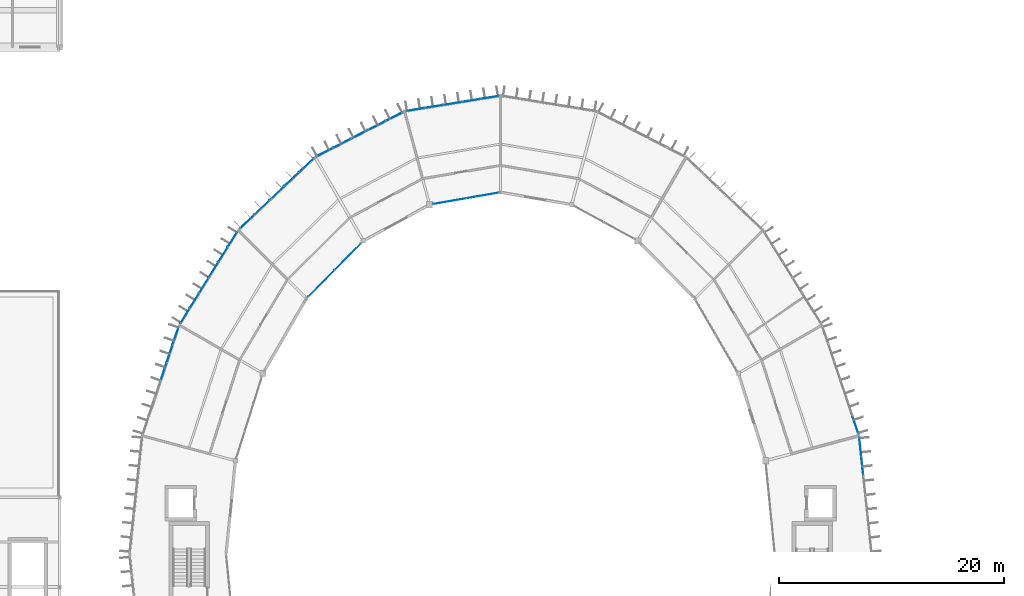
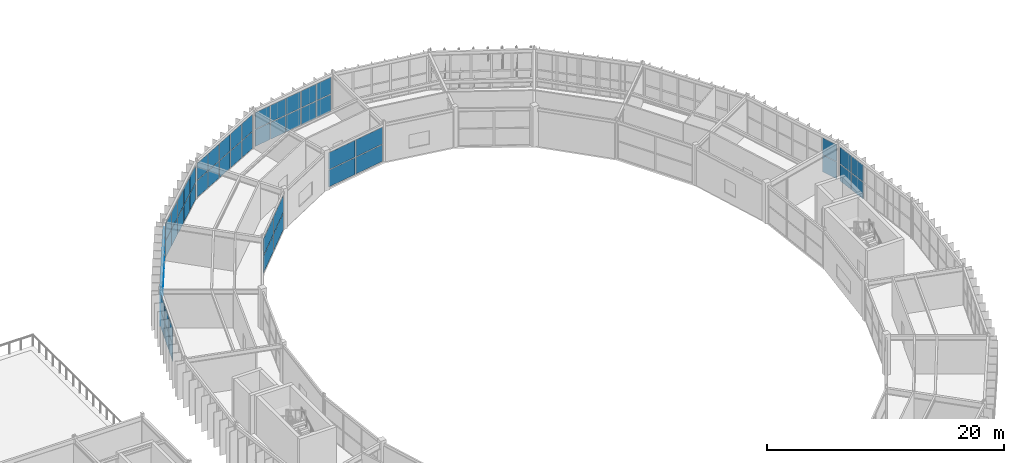
# One storey, part 93 of 130: 62 plates, 9 elements without a shape of their own.
"""IFC4 building model written with IfcOpenShell, lengths in metres."""

from ifc_helpers import new_model, si_unit, direction, frame, origin, origin_2d, place, context, subcontext, project, spatial, rectangle, extrude, material, layer, layer_set, type_object, element, aggregate, save


model = new_model("IFC4")

# Units and contexts
model_context = context("Model", 3, precision=1e-05, world=origin(), true_north=direction((0.0, 1.0)))
body_context = subcontext(model_context, "Body", "Model", "MODEL_VIEW")
ifc_project = project(units=[si_unit("LENGTHUNIT", "METRE"), si_unit("AREAUNIT", "SQUARE_METRE"), si_unit("VOLUMEUNIT", "CUBIC_METRE"), si_unit("PLANEANGLEUNIT", "RADIAN"), si_unit("MASSUNIT", "GRAM", prefix="KILO")], contexts=[model_context])

# Site, building, storey
site_placement = place(None, origin())
site = spatial("IfcSite", under=ifc_project, at=site_placement, CompositionType="ELEMENT")
building_placement = place(site_placement, origin())
building = spatial("IfcBuilding", under=site, at=building_placement, Name="Karori Crest Natural Sciences Institute", CompositionType="ELEMENT")
storey_placement = place(building_placement, frame((0.0, 0.0, 17.5)))
storey = spatial("IfcBuildingStorey", under=building, at=storey_placement, Name="L04", CompositionType="ELEMENT", Elevation=17.5)

# Curtain wall, plates
ifc_material_1 = material(Name="Anodised architectural aluminium 6063-T6", Category="aluminium")
curtain_wall_type_1 = type_object("IfcCurtainWallType", Name="CWT-01", PredefinedType="NOTDEFINED", material=ifc_material_1)
curtain_wall_1_placement = place(storey_placement, origin())
curtain_wall_1 = element("IfcCurtainWall", 1, at=curtain_wall_1_placement, inside=storey, type_object=curtain_wall_type_1, Name="Curtain wall CW-0136", PredefinedType="NOTDEFINED")
ifc_material_2 = material(Name="Double low-E laminated glass", Category="glass")
ifc_layer_1 = layer(ifc_material_2, 0.02392578125, Name="Double low-E laminated glass")
ifc_layer_set_1 = layer_set([ifc_layer_1], Name="Double low-E laminated glass")
plate_type_1 = type_object("IfcPlateType", Name="CWP-01", PredefinedType="CURTAIN_PANEL", material=ifc_layer_set_1)
plate_1_placement = place(storey_placement, frame((98.382080078125, 59.459716796875, 0.06494140625), z_axis=(0.0, 0.0, 1.0), x_axis=(0.105884496939, -0.994378435661, 0.0)))
plate_1 = element("IfcPlate", 2, at=plate_1_placement, type_object=plate_type_1, Name="CW-0136 panel 1.1", PredefinedType="CURTAIN_PANEL", context=body_context, shape_type="SweptSolid", body=[
    extrude(rectangle(XDim=1.630126953125, YDim=0.02392578125, at=origin_2d()), origin(), (0.0, 0.0, 1.0), 1.715087890625),
])
plate_2_placement = place(storey_placement, frame((98.382080078125, 59.459716796875, 1.8447265625), z_axis=(0.0, 0.0, 1.0), x_axis=(0.105884496939, -0.994378435661, 0.0)))
plate_2 = element("IfcPlate", 3, at=plate_2_placement, type_object=plate_type_1, Name="CW-0136 panel 1.2", PredefinedType="CURTAIN_PANEL", context=body_context, shape_type="SweptSolid", body=[
    extrude(rectangle(XDim=1.630126953125, YDim=0.02392578125, at=origin_2d()), origin(), (0.0, 0.0, 1.0), 1.715087890625),
])
plate_3_placement = place(storey_placement, frame((98.563232421875, 57.758056640625, 0.06494140625), z_axis=(0.0, 0.0, 1.0), x_axis=(0.105884496939, -0.994378435661, 0.0)))
plate_3 = element("IfcPlate", 4, at=plate_3_placement, type_object=plate_type_1, Name="CW-0136 panel 2.1", PredefinedType="CURTAIN_PANEL", context=body_context, shape_type="SweptSolid", body=[
    extrude(rectangle(XDim=1.66259765625, YDim=0.02392578125, at=origin_2d()), origin(), (0.0, 0.0, 1.0), 1.715087890625),
])
plate_4_placement = place(storey_placement, frame((98.563232421875, 57.758056640625, 1.8447265625), z_axis=(0.0, 0.0, 1.0), x_axis=(0.105884496939, -0.994378435661, 0.0)))
plate_4 = element("IfcPlate", 5, at=plate_4_placement, type_object=plate_type_1, Name="CW-0136 panel 2.2", PredefinedType="CURTAIN_PANEL", context=body_context, shape_type="SweptSolid", body=[
    extrude(rectangle(XDim=1.66259765625, YDim=0.02392578125, at=origin_2d()), origin(), (0.0, 0.0, 1.0), 1.715087890625),
])
aggregate(curtain_wall_1, [plate_1, plate_2, plate_3, plate_4])

curtain_wall_type_2 = type_object("IfcCurtainWallType", Name="CWT-07", PredefinedType="NOTDEFINED", material=ifc_material_1)
curtain_wall_2_placement = place(storey_placement, origin())
curtain_wall_2 = element("IfcCurtainWall", 6, at=curtain_wall_2_placement, inside=storey, type_object=curtain_wall_type_2, Name="Curtain wall CW-0145", PredefinedType="NOTDEFINED")
plate_5_placement = place(storey_placement, frame((58.8291015625, 89.4677734375, 0.06494140625), z_axis=(0.0, 0.0, 1.0), x_axis=(0.987011397252, 0.160650246484, 0.0)))
plate_5 = element("IfcPlate", 7, at=plate_5_placement, type_object=plate_type_1, Name="CW-0145 panel 1.1", PredefinedType="CURTAIN_PANEL", context=body_context, shape_type="SweptSolid", body=[
    extrude(rectangle(XDim=1.582275390625, YDim=0.02392578125, at=origin_2d()), origin(), (0.0, 0.0, 1.0), 1.715087890625),
])
plate_6_placement = place(storey_placement, frame((58.8291015625, 89.4677734375, 1.8447265625), z_axis=(0.0, 0.0, 1.0), x_axis=(0.987011397252, 0.160650246484, 0.0)))
plate_6 = element("IfcPlate", 8, at=plate_6_placement, type_object=plate_type_1, Name="CW-0145 panel 1.2", PredefinedType="CURTAIN_PANEL", context=body_context, shape_type="SweptSolid", body=[
    extrude(rectangle(XDim=1.582275390625, YDim=0.02392578125, at=origin_2d()), origin(), (0.0, 0.0, 1.0), 1.715087890625),
])
plate_7_placement = place(storey_placement, frame((60.47119140625, 89.735107421875, 0.06494140625), z_axis=(0.0, 0.0, 1.0), x_axis=(0.987011397252, 0.160650246484, 0.0)))
plate_7 = element("IfcPlate", 9, at=plate_7_placement, type_object=plate_type_1, Name="CW-0145 panel 2.1", PredefinedType="CURTAIN_PANEL", context=body_context, shape_type="SweptSolid", body=[
    extrude(rectangle(XDim=1.61474609375, YDim=0.02392578125, at=origin_2d()), origin(), (0.0, 0.0, 1.0), 1.715087890625),
])
plate_8_placement = place(storey_placement, frame((60.47119140625, 89.735107421875, 1.8447265625), z_axis=(0.0, 0.0, 1.0), x_axis=(0.987011397252, 0.160650246484, 0.0)))
plate_8 = element("IfcPlate", 10, at=plate_8_placement, type_object=plate_type_1, Name="CW-0145 panel 2.2", PredefinedType="CURTAIN_PANEL", context=body_context, shape_type="SweptSolid", body=[
    extrude(rectangle(XDim=1.61474609375, YDim=0.02392578125, at=origin_2d()), origin(), (0.0, 0.0, 1.0), 1.715087890625),
])
plate_9_placement = place(storey_placement, frame((62.129150390625, 90.0048828125, 0.06494140625), z_axis=(0.0, 0.0, 1.0), x_axis=(0.987011397252, 0.160650246484, 0.0)))
plate_9 = element("IfcPlate", 11, at=plate_9_placement, type_object=plate_type_1, Name="CW-0145 panel 3.1", PredefinedType="CURTAIN_PANEL", context=body_context, shape_type="SweptSolid", body=[
    extrude(rectangle(XDim=1.61474609375, YDim=0.02392578125, at=origin_2d()), origin(), (0.0, 0.0, 1.0), 1.715087890625),
])
plate_10_placement = place(storey_placement, frame((62.129150390625, 90.0048828125, 1.8447265625), z_axis=(0.0, 0.0, 1.0), x_axis=(0.987011397252, 0.160650246484, 0.0)))
plate_10 = element("IfcPlate", 12, at=plate_10_placement, type_object=plate_type_1, Name="CW-0145 panel 3.2", PredefinedType="CURTAIN_PANEL", context=body_context, shape_type="SweptSolid", body=[
    extrude(rectangle(XDim=1.61474609375, YDim=0.02392578125, at=origin_2d()), origin(), (0.0, 0.0, 1.0), 1.715087890625),
])
plate_11_placement = place(storey_placement, frame((63.787109375, 90.274658203125, 0.06494140625), z_axis=(0.0, 0.0, 1.0), x_axis=(0.987011397252, 0.160650246484, 0.0)))
plate_11 = element("IfcPlate", 13, at=plate_11_placement, type_object=plate_type_1, Name="CW-0145 panel 4.1", PredefinedType="CURTAIN_PANEL", context=body_context, shape_type="SweptSolid", body=[
    extrude(rectangle(XDim=1.61474609375, YDim=0.02392578125, at=origin_2d()), origin(), (0.0, 0.0, 1.0), 1.715087890625),
])
plate_12_placement = place(storey_placement, frame((63.787109375, 90.274658203125, 1.8447265625), z_axis=(0.0, 0.0, 1.0), x_axis=(0.987011397252, 0.160650246484, 0.0)))
plate_12 = element("IfcPlate", 14, at=plate_12_placement, type_object=plate_type_1, Name="CW-0145 panel 4.2", PredefinedType="CURTAIN_PANEL", context=body_context, shape_type="SweptSolid", body=[
    extrude(rectangle(XDim=1.61474609375, YDim=0.02392578125, at=origin_2d()), origin(), (0.0, 0.0, 1.0), 1.715087890625),
])
plate_13_placement = place(storey_placement, frame((65.428955078125, 90.5419921875, 0.06494140625), z_axis=(0.0, 0.0, 1.0), x_axis=(0.987011397252, 0.160650246484, 0.0)))
plate_13 = element("IfcPlate", 15, at=plate_13_placement, type_object=plate_type_1, Name="CW-0145 panel 5.1", PredefinedType="CURTAIN_PANEL", context=body_context, shape_type="SweptSolid", body=[
    extrude(rectangle(XDim=1.582275390625, YDim=0.02392578125, at=origin_2d()), origin(), (0.0, 0.0, 1.0), 1.715087890625),
])
plate_14_placement = place(storey_placement, frame((65.428955078125, 90.5419921875, 1.8447265625), z_axis=(0.0, 0.0, 1.0), x_axis=(0.987011397252, 0.160650246484, 0.0)))
plate_14 = element("IfcPlate", 16, at=plate_14_placement, type_object=plate_type_1, Name="CW-0145 panel 5.2", PredefinedType="CURTAIN_PANEL", context=body_context, shape_type="SweptSolid", body=[
    extrude(rectangle(XDim=1.582275390625, YDim=0.02392578125, at=origin_2d()), origin(), (0.0, 0.0, 1.0), 1.715087890625),
])
aggregate(curtain_wall_2, [plate_5, plate_6, plate_7, plate_8, plate_9, plate_10, plate_11, plate_12, plate_13, plate_14])

curtain_wall_type_3 = type_object("IfcCurtainWallType", Name="CWT-12", PredefinedType="NOTDEFINED", material=ifc_material_1)
curtain_wall_3_placement = place(storey_placement, origin())
curtain_wall_3 = element("IfcCurtainWall", 17, at=curtain_wall_3_placement, inside=storey, type_object=curtain_wall_type_3, Name="Curtain wall CW-0146", PredefinedType="NOTDEFINED")
plate_15_placement = place(storey_placement, frame((64.798095703125, 81.821533203125, 0.06005859375), z_axis=(0.0, 0.0, 1.0), x_axis=(-0.985240827231, -0.171173924291, 0.0)))
plate_15 = element("IfcPlate", 18, at=plate_15_placement, type_object=plate_type_1, Name="CW-0146 panel 1.1", PredefinedType="CURTAIN_PANEL", context=body_context, shape_type="SweptSolid", body=[
    extrude(rectangle(XDim=2.91796875, YDim=0.02392578125, at=origin_2d()), origin(), (0.0, 0.0, 1.0), 1.735107421875),
])
plate_16_placement = place(storey_placement, frame((64.798095703125, 81.821533203125, 1.85498046875), z_axis=(0.0, 0.0, 1.0), x_axis=(-0.985240827231, -0.171173924291, 0.0)))
plate_16 = element("IfcPlate", 19, at=plate_16_placement, type_object=plate_type_1, Name="CW-0146 panel 1.2", PredefinedType="CURTAIN_PANEL", context=body_context, shape_type="SweptSolid", body=[
    extrude(rectangle(XDim=2.91796875, YDim=0.02392578125, at=origin_2d()), origin(), (0.0, 0.0, 1.0), 1.735107421875),
])
plate_17_placement = place(storey_placement, frame((61.859130859375, 81.31103515625, 0.06005859375), z_axis=(0.0, 0.0, 1.0), x_axis=(-0.985240827231, -0.171173924291, 0.0)))
plate_17 = element("IfcPlate", 20, at=plate_17_placement, type_object=plate_type_1, Name="CW-0146 panel 2.1", PredefinedType="CURTAIN_PANEL", context=body_context, shape_type="SweptSolid", body=[
    extrude(rectangle(XDim=2.91796875, YDim=0.02392578125, at=origin_2d()), origin(), (0.0, 0.0, 1.0), 1.735107421875),
])
plate_18_placement = place(storey_placement, frame((61.859130859375, 81.31103515625, 1.85498046875), z_axis=(0.0, 0.0, 1.0), x_axis=(-0.985240827231, -0.171173924291, 0.0)))
plate_18 = element("IfcPlate", 21, at=plate_18_placement, type_object=plate_type_1, Name="CW-0146 panel 2.2", PredefinedType="CURTAIN_PANEL", context=body_context, shape_type="SweptSolid", body=[
    extrude(rectangle(XDim=2.91796875, YDim=0.02392578125, at=origin_2d()), origin(), (0.0, 0.0, 1.0), 1.735107421875),
])
aggregate(curtain_wall_3, [plate_15, plate_16, plate_17, plate_18])

curtain_wall_type_4 = type_object("IfcCurtainWallType", Name="CWT-14", PredefinedType="NOTDEFINED", material=ifc_material_1)
curtain_wall_4_placement = place(storey_placement, origin())
curtain_wall_4 = element("IfcCurtainWall", 22, at=curtain_wall_4_placement, inside=storey, type_object=curtain_wall_type_4, Name="Curtain wall CW-0149", PredefinedType="NOTDEFINED")
plate_19_placement = place(storey_placement, frame((52.803466796875, 76.371826171875, 0.06005859375), z_axis=(0.0, 0.0, 1.0), x_axis=(-0.702660818381, -0.711524963942, 0.0)))
plate_19 = element("IfcPlate", 23, at=plate_19_placement, type_object=plate_type_1, Name="CW-0149 panel 1.1", PredefinedType="CURTAIN_PANEL", context=body_context, shape_type="SweptSolid", body=[
    extrude(rectangle(XDim=3.286865234375, YDim=0.02392578125, at=origin_2d()), origin(), (0.0, 0.0, 1.0), 1.735107421875),
])
plate_20_placement = place(storey_placement, frame((52.803466796875, 76.371826171875, 1.85498046875), z_axis=(0.0, 0.0, 1.0), x_axis=(-0.702660818381, -0.711524963942, 0.0)))
plate_20 = element("IfcPlate", 24, at=plate_20_placement, type_object=plate_type_1, Name="CW-0149 panel 1.2", PredefinedType="CURTAIN_PANEL", context=body_context, shape_type="SweptSolid", body=[
    extrude(rectangle(XDim=3.286865234375, YDim=0.02392578125, at=origin_2d()), origin(), (0.0, 0.0, 1.0), 1.735107421875),
])
plate_21_placement = place(storey_placement, frame((50.4482421875, 73.98681640625, 0.06005859375), z_axis=(0.0, 0.0, 1.0), x_axis=(-0.702660818381, -0.711524963942, 0.0)))
plate_21 = element("IfcPlate", 25, at=plate_21_placement, type_object=plate_type_1, Name="CW-0149 panel 2.1", PredefinedType="CURTAIN_PANEL", context=body_context, shape_type="SweptSolid", body=[
    extrude(rectangle(XDim=3.286865234375, YDim=0.02392578125, at=origin_2d()), origin(), (0.0, 0.0, 1.0), 1.735107421875),
])
plate_22_placement = place(storey_placement, frame((50.4482421875, 73.98681640625, 1.85498046875), z_axis=(0.0, 0.0, 1.0), x_axis=(-0.702660818381, -0.711524963942, 0.0)))
plate_22 = element("IfcPlate", 26, at=plate_22_placement, type_object=plate_type_1, Name="CW-0149 panel 2.2", PredefinedType="CURTAIN_PANEL", context=body_context, shape_type="SweptSolid", body=[
    extrude(rectangle(XDim=3.286865234375, YDim=0.02392578125, at=origin_2d()), origin(), (0.0, 0.0, 1.0), 1.735107421875),
])
aggregate(curtain_wall_4, [plate_19, plate_20, plate_21, plate_22])

curtain_wall_type_5 = type_object("IfcCurtainWallType", Name="CWT-10", PredefinedType="NOTDEFINED", material=ifc_material_1)
curtain_wall_5_placement = place(storey_placement, origin())
curtain_wall_5 = element("IfcCurtainWall", 27, at=curtain_wall_5_placement, inside=storey, type_object=curtain_wall_type_5, Name="Curtain wall CW-0150", PredefinedType="NOTDEFINED")
plate_23_placement = place(storey_placement, frame((38.33154296875, 71.1220703125, 0.06005859375), z_axis=(0.0, 0.0, 1.0), x_axis=(0.527323896352, 0.849664350398, 0.0)))
plate_23 = element("IfcPlate", 28, at=plate_23_placement, type_object=plate_type_1, Name="CW-0150 panel 1.1", PredefinedType="CURTAIN_PANEL", context=body_context, shape_type="SweptSolid", body=[
    extrude(rectangle(XDim=1.51025390625, YDim=0.02392578125, at=origin_2d()), origin(), (0.0, 0.0, 1.0), 1.722412109375),
])
plate_24_placement = place(storey_placement, frame((38.33154296875, 71.1220703125, 1.8427734375), z_axis=(0.0, 0.0, 1.0), x_axis=(0.527323896352, 0.849664350398, 0.0)))
plate_24 = element("IfcPlate", 29, at=plate_24_placement, type_object=plate_type_1, Name="CW-0150 panel 1.2", PredefinedType="CURTAIN_PANEL", context=body_context, shape_type="SweptSolid", body=[
    extrude(rectangle(XDim=1.51025390625, YDim=0.02392578125, at=origin_2d()), origin(), (0.0, 0.0, 1.0), 1.722412109375),
])
plate_25_placement = place(storey_placement, frame((39.170654296875, 72.474365234375, 0.06005859375), z_axis=(0.0, 0.0, 1.0), x_axis=(0.527323896352, 0.849664350398, 0.0)))
plate_25 = element("IfcPlate", 30, at=plate_25_placement, type_object=plate_type_1, Name="CW-0150 panel 2.1", PredefinedType="CURTAIN_PANEL", context=body_context, shape_type="SweptSolid", body=[
    extrude(rectangle(XDim=1.542724609375, YDim=0.02392578125, at=origin_2d()), origin(), (0.0, 0.0, 1.0), 1.722412109375),
])
plate_26_placement = place(storey_placement, frame((39.170654296875, 72.474365234375, 1.8427734375), z_axis=(0.0, 0.0, 1.0), x_axis=(0.527323896352, 0.849664350398, 0.0)))
plate_26 = element("IfcPlate", 31, at=plate_26_placement, type_object=plate_type_1, Name="CW-0150 panel 2.2", PredefinedType="CURTAIN_PANEL", context=body_context, shape_type="SweptSolid", body=[
    extrude(rectangle(XDim=1.542724609375, YDim=0.02392578125, at=origin_2d()), origin(), (0.0, 0.0, 1.0), 1.722412109375),
])
plate_27_placement = place(storey_placement, frame((40.0185546875, 73.840576171875, 0.06005859375), z_axis=(0.0, 0.0, 1.0), x_axis=(0.527323896352, 0.849664350398, 0.0)))
plate_27 = element("IfcPlate", 32, at=plate_27_placement, type_object=plate_type_1, Name="CW-0150 panel 3.1", PredefinedType="CURTAIN_PANEL", context=body_context, shape_type="SweptSolid", body=[
    extrude(rectangle(XDim=1.542724609375, YDim=0.02392578125, at=origin_2d()), origin(), (0.0, 0.0, 1.0), 1.722412109375),
])
plate_28_placement = place(storey_placement, frame((40.0185546875, 73.840576171875, 1.8427734375), z_axis=(0.0, 0.0, 1.0), x_axis=(0.527323896352, 0.849664350398, 0.0)))
plate_28 = element("IfcPlate", 33, at=plate_28_placement, type_object=plate_type_1, Name="CW-0150 panel 3.2", PredefinedType="CURTAIN_PANEL", context=body_context, shape_type="SweptSolid", body=[
    extrude(rectangle(XDim=1.542724609375, YDim=0.02392578125, at=origin_2d()), origin(), (0.0, 0.0, 1.0), 1.722412109375),
])
plate_29_placement = place(storey_placement, frame((40.866455078125, 75.20654296875, 0.06005859375), z_axis=(0.0, 0.0, 1.0), x_axis=(0.527323896352, 0.849664350398, 0.0)))
plate_29 = element("IfcPlate", 34, at=plate_29_placement, type_object=plate_type_1, Name="CW-0150 panel 4.1", PredefinedType="CURTAIN_PANEL", context=body_context, shape_type="SweptSolid", body=[
    extrude(rectangle(XDim=1.542724609375, YDim=0.02392578125, at=origin_2d()), origin(), (0.0, 0.0, 1.0), 1.722412109375),
])
plate_30_placement = place(storey_placement, frame((40.866455078125, 75.20654296875, 1.8427734375), z_axis=(0.0, 0.0, 1.0), x_axis=(0.527323896352, 0.849664350398, 0.0)))
plate_30 = element("IfcPlate", 35, at=plate_30_placement, type_object=plate_type_1, Name="CW-0150 panel 4.2", PredefinedType="CURTAIN_PANEL", context=body_context, shape_type="SweptSolid", body=[
    extrude(rectangle(XDim=1.542724609375, YDim=0.02392578125, at=origin_2d()), origin(), (0.0, 0.0, 1.0), 1.722412109375),
])
plate_31_placement = place(storey_placement, frame((41.714111328125, 76.572509765625, 0.06005859375), z_axis=(0.0, 0.0, 1.0), x_axis=(0.527323896352, 0.849664350398, 0.0)))
plate_31 = element("IfcPlate", 36, at=plate_31_placement, type_object=plate_type_1, Name="CW-0150 panel 5.1", PredefinedType="CURTAIN_PANEL", context=body_context, shape_type="SweptSolid", body=[
    extrude(rectangle(XDim=1.542724609375, YDim=0.02392578125, at=origin_2d()), origin(), (0.0, 0.0, 1.0), 1.722412109375),
])
plate_32_placement = place(storey_placement, frame((41.714111328125, 76.572509765625, 1.8427734375), z_axis=(0.0, 0.0, 1.0), x_axis=(0.527323896352, 0.849664350398, 0.0)))
plate_32 = element("IfcPlate", 37, at=plate_32_placement, type_object=plate_type_1, Name="CW-0150 panel 5.2", PredefinedType="CURTAIN_PANEL", context=body_context, shape_type="SweptSolid", body=[
    extrude(rectangle(XDim=1.542724609375, YDim=0.02392578125, at=origin_2d()), origin(), (0.0, 0.0, 1.0), 1.722412109375),
])
plate_33_placement = place(storey_placement, frame((42.553466796875, 77.9248046875, 0.06005859375), z_axis=(0.0, 0.0, 1.0), x_axis=(0.527323896352, 0.849664350398, 0.0)))
plate_33 = element("IfcPlate", 38, at=plate_33_placement, type_object=plate_type_1, Name="CW-0150 panel 6.1", PredefinedType="CURTAIN_PANEL", context=body_context, shape_type="SweptSolid", body=[
    extrude(rectangle(XDim=1.51025390625, YDim=0.02392578125, at=origin_2d()), origin(), (0.0, 0.0, 1.0), 1.722412109375),
])
plate_34_placement = place(storey_placement, frame((42.553466796875, 77.9248046875, 1.8427734375), z_axis=(0.0, 0.0, 1.0), x_axis=(0.527323896352, 0.849664350398, 0.0)))
plate_34 = element("IfcPlate", 39, at=plate_34_placement, type_object=plate_type_1, Name="CW-0150 panel 6.2", PredefinedType="CURTAIN_PANEL", context=body_context, shape_type="SweptSolid", body=[
    extrude(rectangle(XDim=1.51025390625, YDim=0.02392578125, at=origin_2d()), origin(), (0.0, 0.0, 1.0), 1.722412109375),
])
aggregate(curtain_wall_5, [plate_23, plate_24, plate_25, plate_26, plate_27, plate_28, plate_29, plate_30, plate_31, plate_32, plate_33, plate_34])

curtain_wall_type_6 = type_object("IfcCurtainWallType", Name="CWT-02", PredefinedType="NOTDEFINED", material=ifc_material_1)
curtain_wall_6_placement = place(storey_placement, origin())
curtain_wall_6 = element("IfcCurtainWall", 40, at=curtain_wall_6_placement, inside=storey, type_object=curtain_wall_type_6, Name="Curtain wall CW-0138", PredefinedType="NOTDEFINED")
ifc_layer_2 = layer(ifc_material_2, 0.033935546875, Name="Double low-E laminated glass")
ifc_layer_set_2 = layer_set([ifc_layer_2], Name="Double low-E laminated glass")
plate_type_2 = type_object("IfcPlateType", Name="CWP-02", PredefinedType="CURTAIN_PANEL", material=ifc_layer_set_2)
plate_35_placement = place(storey_placement, frame((97.95947265625, 61.4033203125, 0.06005859375), z_axis=(0.0, 0.0, 1.0), x_axis=(0.317679803392, -0.94819805026, 0.0)))
plate_35 = element("IfcPlate", 41, at=plate_35_placement, type_object=plate_type_2, Name="CW-0138 panel 6.1", PredefinedType="CURTAIN_PANEL", context=body_context, shape_type="SweptSolid", body=[
    extrude(rectangle(XDim=1.59619140625, YDim=0.033935546875, at=origin_2d()), origin(), (0.0, 0.0, 1.0), 1.722412109375),
])
plate_36_placement = place(storey_placement, frame((97.95947265625, 61.4033203125, 1.8427734375), z_axis=(0.0, 0.0, 1.0), x_axis=(0.317679803392, -0.94819805026, 0.0)))
plate_36 = element("IfcPlate", 42, at=plate_36_placement, type_object=plate_type_2, Name="CW-0138 panel 6.2", PredefinedType="CURTAIN_PANEL", context=body_context, shape_type="SweptSolid", body=[
    extrude(rectangle(XDim=1.59619140625, YDim=0.033935546875, at=origin_2d()), origin(), (0.0, 0.0, 1.0), 1.722412109375),
])
aggregate(curtain_wall_6, [plate_35, plate_36])

curtain_wall_type_7 = type_object("IfcCurtainWallType", Name="CWT-08", PredefinedType="NOTDEFINED", material=ifc_material_1)
curtain_wall_7_placement = place(storey_placement, origin())
curtain_wall_7 = element("IfcCurtainWall", 43, at=curtain_wall_7_placement, inside=storey, type_object=curtain_wall_type_7, Name="Curtain wall CW-0147", PredefinedType="NOTDEFINED")
plate_37_placement = place(storey_placement, frame((50.765625, 85.677001953125, 0.06005859375), z_axis=(0.0, 0.0, 1.0), x_axis=(0.890067432138, 0.455828878252, 0.0)))
plate_37 = element("IfcPlate", 44, at=plate_37_placement, type_object=plate_type_2, Name="CW-0147 panel 1.1", PredefinedType="CURTAIN_PANEL", context=body_context, shape_type="SweptSolid", body=[
    extrude(rectangle(XDim=1.645751953125, YDim=0.033935546875, at=origin_2d()), origin(), (0.0, 0.0, 1.0), 1.722412109375),
])
plate_38_placement = place(storey_placement, frame((50.765625, 85.677001953125, 1.8427734375), z_axis=(0.0, 0.0, 1.0), x_axis=(0.890067432138, 0.455828878252, 0.0)))
plate_38 = element("IfcPlate", 45, at=plate_38_placement, type_object=plate_type_2, Name="CW-0147 panel 1.2", PredefinedType="CURTAIN_PANEL", context=body_context, shape_type="SweptSolid", body=[
    extrude(rectangle(XDim=1.645751953125, YDim=0.033935546875, at=origin_2d()), origin(), (0.0, 0.0, 1.0), 1.722412109375),
])
plate_39_placement = place(storey_placement, frame((52.302734375, 86.46435546875, 0.06005859375), z_axis=(0.0, 0.0, 1.0), x_axis=(0.890067432138, 0.455828878252, 0.0)))
plate_39 = element("IfcPlate", 46, at=plate_39_placement, type_object=plate_type_2, Name="CW-0147 panel 2.1", PredefinedType="CURTAIN_PANEL", context=body_context, shape_type="SweptSolid", body=[
    extrude(rectangle(XDim=1.678466796875, YDim=0.033935546875, at=origin_2d()), origin(), (0.0, 0.0, 1.0), 1.722412109375),
])
plate_40_placement = place(storey_placement, frame((52.302734375, 86.46435546875, 1.8427734375), z_axis=(0.0, 0.0, 1.0), x_axis=(0.890067432138, 0.455828878252, 0.0)))
plate_40 = element("IfcPlate", 47, at=plate_40_placement, type_object=plate_type_2, Name="CW-0147 panel 2.2", PredefinedType="CURTAIN_PANEL", context=body_context, shape_type="SweptSolid", body=[
    extrude(rectangle(XDim=1.678466796875, YDim=0.033935546875, at=origin_2d()), origin(), (0.0, 0.0, 1.0), 1.722412109375),
])
plate_41_placement = place(storey_placement, frame((53.8544921875, 87.259033203125, 0.06005859375), z_axis=(0.0, 0.0, 1.0), x_axis=(0.890067432138, 0.455828878252, 0.0)))
plate_41 = element("IfcPlate", 48, at=plate_41_placement, type_object=plate_type_2, Name="CW-0147 panel 3.1", PredefinedType="CURTAIN_PANEL", context=body_context, shape_type="SweptSolid", body=[
    extrude(rectangle(XDim=1.678466796875, YDim=0.033935546875, at=origin_2d()), origin(), (0.0, 0.0, 1.0), 1.722412109375),
])
plate_42_placement = place(storey_placement, frame((53.8544921875, 87.259033203125, 1.8427734375), z_axis=(0.0, 0.0, 1.0), x_axis=(0.890067432138, 0.455828878252, 0.0)))
plate_42 = element("IfcPlate", 49, at=plate_42_placement, type_object=plate_type_2, Name="CW-0147 panel 3.2", PredefinedType="CURTAIN_PANEL", context=body_context, shape_type="SweptSolid", body=[
    extrude(rectangle(XDim=1.678466796875, YDim=0.033935546875, at=origin_2d()), origin(), (0.0, 0.0, 1.0), 1.722412109375),
])
plate_43_placement = place(storey_placement, frame((55.40625, 88.0537109375, 0.06005859375), z_axis=(0.0, 0.0, 1.0), x_axis=(0.890067432138, 0.455828878252, 0.0)))
plate_43 = element("IfcPlate", 50, at=plate_43_placement, type_object=plate_type_2, Name="CW-0147 panel 4.1", PredefinedType="CURTAIN_PANEL", context=body_context, shape_type="SweptSolid", body=[
    extrude(rectangle(XDim=1.678466796875, YDim=0.033935546875, at=origin_2d()), origin(), (0.0, 0.0, 1.0), 1.722412109375),
])
plate_44_placement = place(storey_placement, frame((55.40625, 88.0537109375, 1.8427734375), z_axis=(0.0, 0.0, 1.0), x_axis=(0.890067432138, 0.455828878252, 0.0)))
plate_44 = element("IfcPlate", 51, at=plate_44_placement, type_object=plate_type_2, Name="CW-0147 panel 4.2", PredefinedType="CURTAIN_PANEL", context=body_context, shape_type="SweptSolid", body=[
    extrude(rectangle(XDim=1.678466796875, YDim=0.033935546875, at=origin_2d()), origin(), (0.0, 0.0, 1.0), 1.722412109375),
])
plate_45_placement = place(storey_placement, frame((56.943359375, 88.841064453125, 0.06005859375), z_axis=(0.0, 0.0, 1.0), x_axis=(0.890067432138, 0.455828878252, 0.0)))
plate_45 = element("IfcPlate", 52, at=plate_45_placement, type_object=plate_type_2, Name="CW-0147 panel 5.1", PredefinedType="CURTAIN_PANEL", context=body_context, shape_type="SweptSolid", body=[
    extrude(rectangle(XDim=1.645751953125, YDim=0.033935546875, at=origin_2d()), origin(), (0.0, 0.0, 1.0), 1.722412109375),
])
plate_46_placement = place(storey_placement, frame((56.943359375, 88.841064453125, 1.8427734375), z_axis=(0.0, 0.0, 1.0), x_axis=(0.890067432138, 0.455828878252, 0.0)))
plate_46 = element("IfcPlate", 53, at=plate_46_placement, type_object=plate_type_2, Name="CW-0147 panel 5.2", PredefinedType="CURTAIN_PANEL", context=body_context, shape_type="SweptSolid", body=[
    extrude(rectangle(XDim=1.645751953125, YDim=0.033935546875, at=origin_2d()), origin(), (0.0, 0.0, 1.0), 1.722412109375),
])
aggregate(curtain_wall_7, [plate_37, plate_38, plate_39, plate_40, plate_41, plate_42, plate_43, plate_44, plate_45, plate_46])

curtain_wall_8_placement = place(storey_placement, origin())
curtain_wall_8 = element("IfcCurtainWall", 54, at=curtain_wall_8_placement, inside=storey, type_object=curtain_wall_type_1, Name="Curtain wall CW-0151", PredefinedType="NOTDEFINED")
plate_47_placement = place(storey_placement, frame((36.43408203125, 66.159912109375, 0.06494140625), z_axis=(0.0, 0.0, 1.0), x_axis=(0.317679803392, 0.94819805026, 0.0)))
plate_47 = element("IfcPlate", 55, at=plate_47_placement, type_object=plate_type_2, Name="CW-0151 panel 4.1", PredefinedType="CURTAIN_PANEL", context=body_context, shape_type="SweptSolid", body=[
    extrude(rectangle(XDim=1.628662109375, YDim=0.033935546875, at=origin_2d()), origin(), (0.0, 0.0, 1.0), 1.715087890625),
])
plate_48_placement = place(storey_placement, frame((36.43408203125, 66.159912109375, 1.8447265625), z_axis=(0.0, 0.0, 1.0), x_axis=(0.317679803392, 0.94819805026, 0.0)))
plate_48 = element("IfcPlate", 56, at=plate_48_placement, type_object=plate_type_2, Name="CW-0151 panel 4.2", PredefinedType="CURTAIN_PANEL", context=body_context, shape_type="SweptSolid", body=[
    extrude(rectangle(XDim=1.628662109375, YDim=0.033935546875, at=origin_2d()), origin(), (0.0, 0.0, 1.0), 1.715087890625),
])
plate_49_placement = place(storey_placement, frame((36.97216796875, 67.765869140625, 0.06494140625), z_axis=(0.0, 0.0, 1.0), x_axis=(0.317679803392, 0.94819805026, 0.0)))
plate_49 = element("IfcPlate", 57, at=plate_49_placement, type_object=plate_type_2, Name="CW-0151 panel 5.1", PredefinedType="CURTAIN_PANEL", context=body_context, shape_type="SweptSolid", body=[
    extrude(rectangle(XDim=1.628662109375, YDim=0.033935546875, at=origin_2d()), origin(), (0.0, 0.0, 1.0), 1.715087890625),
])
plate_50_placement = place(storey_placement, frame((36.97216796875, 67.765869140625, 1.8447265625), z_axis=(0.0, 0.0, 1.0), x_axis=(0.317679803392, 0.94819805026, 0.0)))
plate_50 = element("IfcPlate", 58, at=plate_50_placement, type_object=plate_type_2, Name="CW-0151 panel 5.2", PredefinedType="CURTAIN_PANEL", context=body_context, shape_type="SweptSolid", body=[
    extrude(rectangle(XDim=1.628662109375, YDim=0.033935546875, at=origin_2d()), origin(), (0.0, 0.0, 1.0), 1.715087890625),
])
plate_51_placement = place(storey_placement, frame((37.505126953125, 69.3564453125, 0.06494140625), z_axis=(0.0, 0.0, 1.0), x_axis=(0.317679803392, 0.94819805026, 0.0)))
plate_51 = element("IfcPlate", 59, at=plate_51_placement, type_object=plate_type_2, Name="CW-0151 panel 6.1", PredefinedType="CURTAIN_PANEL", context=body_context, shape_type="SweptSolid", body=[
    extrude(rectangle(XDim=1.59619140625, YDim=0.033935546875, at=origin_2d()), origin(), (0.0, 0.0, 1.0), 1.715087890625),
])
plate_52_placement = place(storey_placement, frame((37.505126953125, 69.3564453125, 1.8447265625), z_axis=(0.0, 0.0, 1.0), x_axis=(0.317679803392, 0.94819805026, 0.0)))
plate_52 = element("IfcPlate", 60, at=plate_52_placement, type_object=plate_type_2, Name="CW-0151 panel 6.2", PredefinedType="CURTAIN_PANEL", context=body_context, shape_type="SweptSolid", body=[
    extrude(rectangle(XDim=1.59619140625, YDim=0.033935546875, at=origin_2d()), origin(), (0.0, 0.0, 1.0), 1.715087890625),
])
aggregate(curtain_wall_8, [plate_47, plate_48, plate_49, plate_50, plate_51, plate_52])

curtain_wall_type_8 = type_object("IfcCurtainWallType", Name="CWT-09", PredefinedType="NOTDEFINED", material=ifc_material_1)
curtain_wall_9_placement = place(storey_placement, origin())
curtain_wall_9 = element("IfcCurtainWall", 61, at=curtain_wall_9_placement, inside=storey, type_object=curtain_wall_type_8, Name="Curtain wall CW-0148", PredefinedType="NOTDEFINED")
ifc_layer_3 = layer(ifc_material_2, 0.0439453125, Name="Double low-E laminated glass")
ifc_layer_set_3 = layer_set([ifc_layer_3], Name="Double low-E laminated glass")
plate_type_3 = type_object("IfcPlateType", Name="CWP-03", PredefinedType="CURTAIN_PANEL", material=ifc_layer_set_3)
plate_53_placement = place(storey_placement, frame((43.866943359375, 79.510498046875, 0.06494140625), z_axis=(0.0, 0.0, 1.0), x_axis=(0.725473081026, 0.688250542104, 0.0)))
plate_53 = element("IfcPlate", 62, at=plate_53_placement, type_object=plate_type_3, Name="CW-0148 panel 1.1", PredefinedType="CURTAIN_PANEL", context=body_context, shape_type="SweptSolid", body=[
    extrude(rectangle(XDim=1.73095703125, YDim=0.0439453125, at=origin_2d()), origin(), (0.0, 0.0, 1.0), 1.715087890625),
])
plate_54_placement = place(storey_placement, frame((43.866943359375, 79.510498046875, 1.8447265625), z_axis=(0.0, 0.0, 1.0), x_axis=(0.725473081026, 0.688250542104, 0.0)))
plate_54 = element("IfcPlate", 63, at=plate_54_placement, type_object=plate_type_3, Name="CW-0148 panel 1.2", PredefinedType="CURTAIN_PANEL", context=body_context, shape_type="SweptSolid", body=[
    extrude(rectangle(XDim=1.73095703125, YDim=0.0439453125, at=origin_2d()), origin(), (0.0, 0.0, 1.0), 1.715087890625),
])
plate_55_placement = place(storey_placement, frame((45.181640625, 80.757568359375, 0.06494140625), z_axis=(0.0, 0.0, 1.0), x_axis=(0.725473081026, 0.688250542104, 0.0)))
plate_55 = element("IfcPlate", 64, at=plate_55_placement, type_object=plate_type_3, Name="CW-0148 panel 2.1", PredefinedType="CURTAIN_PANEL", context=body_context, shape_type="SweptSolid", body=[
    extrude(rectangle(XDim=1.763427734375, YDim=0.0439453125, at=origin_2d()), origin(), (0.0, 0.0, 1.0), 1.715087890625),
])
plate_56_placement = place(storey_placement, frame((45.181640625, 80.757568359375, 1.8447265625), z_axis=(0.0, 0.0, 1.0), x_axis=(0.725473081026, 0.688250542104, 0.0)))
plate_56 = element("IfcPlate", 65, at=plate_56_placement, type_object=plate_type_3, Name="CW-0148 panel 2.2", PredefinedType="CURTAIN_PANEL", context=body_context, shape_type="SweptSolid", body=[
    extrude(rectangle(XDim=1.763427734375, YDim=0.0439453125, at=origin_2d()), origin(), (0.0, 0.0, 1.0), 1.715087890625),
])
plate_57_placement = place(storey_placement, frame((46.50830078125, 82.01611328125, 0.06494140625), z_axis=(0.0, 0.0, 1.0), x_axis=(0.725473081026, 0.688250542104, 0.0)))
plate_57 = element("IfcPlate", 66, at=plate_57_placement, type_object=plate_type_3, Name="CW-0148 panel 3.1", PredefinedType="CURTAIN_PANEL", context=body_context, shape_type="SweptSolid", body=[
    extrude(rectangle(XDim=1.763427734375, YDim=0.0439453125, at=origin_2d()), origin(), (0.0, 0.0, 1.0), 1.715087890625),
])
plate_58_placement = place(storey_placement, frame((46.50830078125, 82.01611328125, 1.8447265625), z_axis=(0.0, 0.0, 1.0), x_axis=(0.725473081026, 0.688250542104, 0.0)))
plate_58 = element("IfcPlate", 67, at=plate_58_placement, type_object=plate_type_3, Name="CW-0148 panel 3.2", PredefinedType="CURTAIN_PANEL", context=body_context, shape_type="SweptSolid", body=[
    extrude(rectangle(XDim=1.763427734375, YDim=0.0439453125, at=origin_2d()), origin(), (0.0, 0.0, 1.0), 1.715087890625),
])
plate_59_placement = place(storey_placement, frame((47.834716796875, 83.274658203125, 0.06494140625), z_axis=(0.0, 0.0, 1.0), x_axis=(0.725473081026, 0.688250542104, 0.0)))
plate_59 = element("IfcPlate", 68, at=plate_59_placement, type_object=plate_type_3, Name="CW-0148 panel 4.1", PredefinedType="CURTAIN_PANEL", context=body_context, shape_type="SweptSolid", body=[
    extrude(rectangle(XDim=1.763427734375, YDim=0.0439453125, at=origin_2d()), origin(), (0.0, 0.0, 1.0), 1.715087890625),
])
plate_60_placement = place(storey_placement, frame((47.834716796875, 83.274658203125, 1.8447265625), z_axis=(0.0, 0.0, 1.0), x_axis=(0.725473081026, 0.688250542104, 0.0)))
plate_60 = element("IfcPlate", 69, at=plate_60_placement, type_object=plate_type_3, Name="CW-0148 panel 4.2", PredefinedType="CURTAIN_PANEL", context=body_context, shape_type="SweptSolid", body=[
    extrude(rectangle(XDim=1.763427734375, YDim=0.0439453125, at=origin_2d()), origin(), (0.0, 0.0, 1.0), 1.715087890625),
])
plate_61_placement = place(storey_placement, frame((49.1494140625, 84.521728515625, 0.06494140625), z_axis=(0.0, 0.0, 1.0), x_axis=(0.725473081026, 0.688250542104, 0.0)))
plate_61 = element("IfcPlate", 70, at=plate_61_placement, type_object=plate_type_3, Name="CW-0148 panel 5.1", PredefinedType="CURTAIN_PANEL", context=body_context, shape_type="SweptSolid", body=[
    extrude(rectangle(XDim=1.73095703125, YDim=0.0439453125, at=origin_2d()), origin(), (0.0, 0.0, 1.0), 1.715087890625),
])
plate_62_placement = place(storey_placement, frame((49.1494140625, 84.521728515625, 1.8447265625), z_axis=(0.0, 0.0, 1.0), x_axis=(0.725473081026, 0.688250542104, 0.0)))
plate_62 = element("IfcPlate", 71, at=plate_62_placement, type_object=plate_type_3, Name="CW-0148 panel 5.2", PredefinedType="CURTAIN_PANEL", context=body_context, shape_type="SweptSolid", body=[
    extrude(rectangle(XDim=1.73095703125, YDim=0.0439453125, at=origin_2d()), origin(), (0.0, 0.0, 1.0), 1.715087890625),
])
aggregate(curtain_wall_9, [plate_53, plate_54, plate_55, plate_56, plate_57, plate_58, plate_59, plate_60, plate_61, plate_62])

save(model, "model.ifc")
